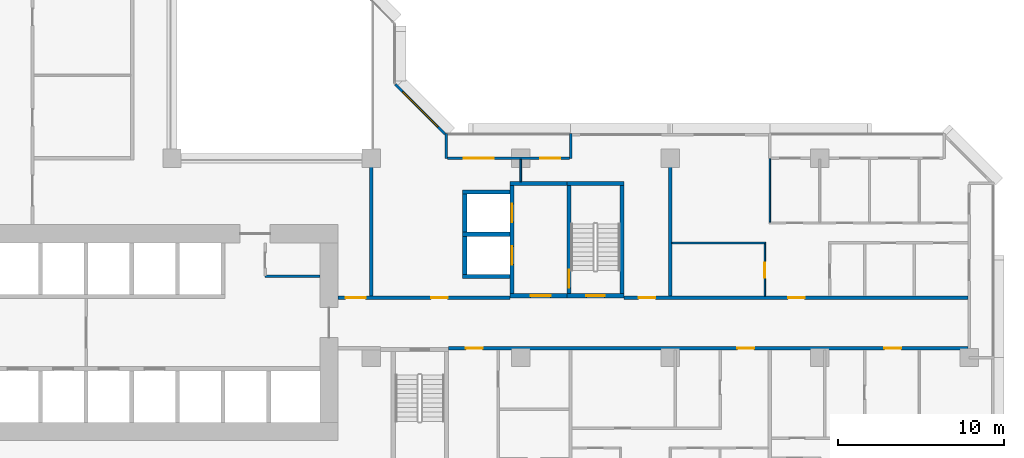
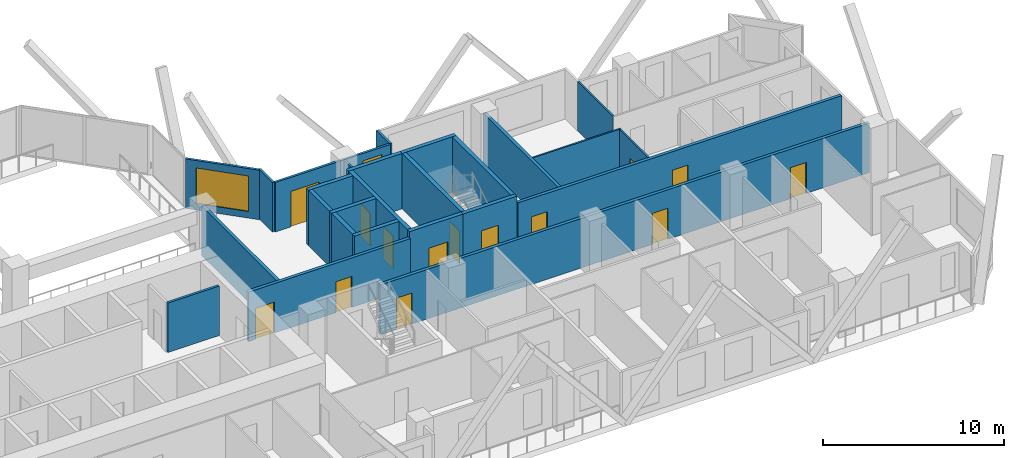
# One storey, part 7 of 15: 26 walls, 14 doors, 2 windows, 16 openings.
"""IFC4 building model written with IfcOpenShell, lengths in metres."""

from ifc_helpers import new_model, si_unit, direction, frame, frame_2d, origin, place, context, subcontext, project, spatial, rectangle, extrude, material, layer, layer_set, type_object, element, fill, save


model = new_model("IFC4")

# Units and contexts
model_context = context("Model", 3, precision=1e-05, world=origin(), true_north=direction((0.0, 1.0)))
body_context = subcontext(model_context, "Body", "Model", "MODEL_VIEW")
ifc_project = project(units=[si_unit("LENGTHUNIT", "METRE"), si_unit("AREAUNIT", "SQUARE_METRE"), si_unit("VOLUMEUNIT", "CUBIC_METRE"), si_unit("PLANEANGLEUNIT", "RADIAN"), si_unit("MASSUNIT", "GRAM", prefix="KILO")], contexts=[model_context])

# Site, building, storey
site_placement = place(None, origin())
site = spatial("IfcSite", under=ifc_project, at=site_placement, CompositionType="ELEMENT")
building_placement = place(site_placement, origin())
building = spatial("IfcBuilding", under=site, at=building_placement, Name="Chenar Terraces", CompositionType="ELEMENT")
storey_placement = place(building_placement, frame((0.0, 0.0, 41.39990234375)))
storey = spatial("IfcBuildingStorey", under=building, at=storey_placement, Name="L07", CompositionType="ELEMENT", Elevation=41.39990234375)

# Wall
ifc_material_1 = material(Name="Gypsum board on steel studs", Category="steel")
ifc_layer_1 = layer(ifc_material_1, 0.14990234375)
ifc_layer_set_1 = layer_set([ifc_layer_1], Name="Gypsum board on steel studs")
wall_type_1 = type_object("IfcWallType", Name="Core partition 150 gypsum board", PredefinedType="PARTITIONING", material=ifc_layer_set_1)
wall_1_placement = place(storey_placement, frame((29.60009765625, 16.89990234375, 0.0), z_axis=(0.0, 0.0, 1.0), x_axis=(1.0, 0.0, 0.0)))
element("IfcWall", 1, at=wall_1_placement, inside=storey, type_object=wall_type_1, Name="Core partition CP1 vestibule room south wall", PredefinedType="PARTITIONING", context=body_context, shape_type="SweptSolid", body=[
    extrude(rectangle(XDim=3.2998046875, YDim=0.14990234375, at=frame_2d((1.64990234375, 0.0))), origin(), (0.0, 0.0, 1.0), 3.35009765625),
])

# Wall, opening, door
ifc_material_2 = material(Name="Concrete C70/85", Category="concrete")
ifc_layer_2 = layer(ifc_material_2, 0.25)
ifc_layer_set_2 = layer_set([ifc_layer_2], Name="Concrete C70/85")
wall_type_2 = type_object("IfcWallType", Name="Core wall 250 Concrete C70/85", PredefinedType="SHEAR", material=ifc_layer_set_2)
wall_2_placement = place(storey_placement, frame((47.77490234375, 15.72509765625, 0.0), z_axis=(0.0, 0.0, 1.0), x_axis=(1.0, 0.0, 0.0)))
wall_2 = element("IfcWall", 2, at=wall_2_placement, inside=storey, type_object=wall_type_2, Name="Core wall ST3_S L07", PredefinedType="SHEAR", context=body_context, shape_type="SweptSolid", body=[
    extrude(rectangle(XDim=3.4501953125, YDim=0.25, at=frame_2d((1.72509765625, 0.0))), origin(), (0.0, 0.0, 1.0), 3.75),
])
opening_1_placement = place(wall_2_placement, frame((1.175048828125, 0.0, 0.0)))
opening_1 = element("IfcOpeningElement", 3, at=opening_1_placement, cuts=wall_2, Name="Opening DL07-C8", PredefinedType="OPENING", context=body_context, shape_type="SweptSolid", body=[
    extrude(rectangle(XDim=1.10009765625, YDim=2.199951171875, at=frame_2d((0.550048828125, 1.10009765625))), frame((0.0, 0.135009765625, 0.0), z_axis=(0.0, -1.0, 0.0), x_axis=(1.0, 0.0, 0.0)), (0.0, 0.0, 1.0), 0.27001953125),
])
ifc_material_3 = material(Name="Steel-framed fire-resisting door leaf", Category="steel")
door_type_1 = type_object("IfcDoorType", Name="Stair fire door FD60 1100 x 2200", OperationType="SINGLE_SWING_LEFT", PredefinedType="DOOR", material=ifc_material_3)
door_1_placement = place(opening_1_placement, frame((1.10009765625, 0.0, 0.0), z_axis=(0.0, 0.0, 1.0), x_axis=(-1.0, 0.0, 0.0)))
door_1 = element("IfcDoor", 4, at=door_1_placement, inside=storey, type_object=door_type_1, Name="Stair door DL07-C8", OperationType="SINGLE_SWING_LEFT", OverallHeight=2.199951171875, OverallWidth=1.10009765625, PredefinedType="DOOR", context=body_context, shape_type="SweptSolid", body=[
    extrude(rectangle(XDim=1.10009765625, YDim=2.199951171875, at=frame_2d((0.550048828125, 1.10009765625))), frame((0.0, 0.02490234375, 0.0), z_axis=(0.0, -1.0, 0.0), x_axis=(1.0, 0.0, 0.0)), (0.0, 0.0, 1.0), 0.050048828125),
])
fill(opening_1, door_1)

# Wall
wall_3_placement = place(storey_placement, frame((47.77490234375, 22.47509765625, 0.0), z_axis=(0.0, 0.0, 1.0), x_axis=(1.0, 0.0, 0.0)))
element("IfcWall", 5, at=wall_3_placement, inside=storey, type_object=wall_type_2, Name="Core wall ST3_N L07", PredefinedType="SHEAR", context=body_context, shape_type="SweptSolid", body=[
    extrude(rectangle(XDim=3.4501953125, YDim=0.25, at=frame_2d((1.72509765625, 0.0))), origin(), (0.0, 0.0, 1.0), 3.75),
])

# Wall, opening, door
wall_4_placement = place(storey_placement, frame((47.89990234375, 15.85009765625, 0.0), z_axis=(0.0, 0.0, 1.0), x_axis=(0.0, 1.0, 0.0)))
wall_4 = element("IfcWall", 6, at=wall_4_placement, inside=storey, type_object=wall_type_2, Name="Core wall ST3_W L07", PredefinedType="SHEAR", context=body_context, shape_type="SweptSolid", body=[
    extrude(rectangle(XDim=6.5, YDim=0.25, at=frame_2d((3.25, 0.0))), origin(), (0.0, 0.0, 1.0), 3.75),
])
opening_2_placement = place(wall_4_placement, frame((0.35009765625, 0.0, 0.0)))
opening_2 = element("IfcOpeningElement", 7, at=opening_2_placement, cuts=wall_4, Name="Opening DL07-C11", PredefinedType="OPENING", context=body_context, shape_type="SweptSolid", body=[
    extrude(rectangle(XDim=1.10009765625, YDim=2.199951171875, at=frame_2d((0.550048828125, 1.10009765625))), frame((0.0, 0.135009765625, 0.0), z_axis=(0.0, -1.0, 0.0), x_axis=(1.0, 0.0, 0.0)), (0.0, 0.0, 1.0), 0.27001953125),
])
door_2_placement = place(opening_2_placement, frame((1.10009765625, 0.0, 0.0), z_axis=(0.0, 0.0, 1.0), x_axis=(-1.0, 0.0, 0.0)))
door_2 = element("IfcDoor", 8, at=door_2_placement, inside=storey, type_object=door_type_1, Name="Stair door DL07-C11", OperationType="SINGLE_SWING_RIGHT", OverallHeight=2.199951171875, OverallWidth=1.10009765625, PredefinedType="DOOR", context=body_context, shape_type="SweptSolid", body=[
    extrude(rectangle(XDim=1.10009765625, YDim=2.199951171875, at=frame_2d((0.550048828125, 1.10009765625))), frame((0.0, 0.02490234375, 0.0), z_axis=(0.0, -1.0, 0.0), x_axis=(1.0, 0.0, 0.0)), (0.0, 0.0, 1.0), 0.050048828125),
])
fill(opening_2, door_2)

# Wall
wall_5_placement = place(storey_placement, frame((51.10009765625, 15.85009765625, 0.0), z_axis=(0.0, 0.0, 1.0), x_axis=(0.0, 1.0, 0.0)))
element("IfcWall", 9, at=wall_5_placement, inside=storey, type_object=wall_type_2, Name="Core wall ST3_E L07", PredefinedType="SHEAR", context=body_context, shape_type="SweptSolid", body=[
    extrude(rectangle(XDim=6.5, YDim=0.25, at=frame_2d((3.25, 0.0))), origin(), (0.0, 0.0, 1.0), 3.75),
])

# Wall, opening, door
wall_6_placement = place(storey_placement, frame((44.35009765625, 15.72509765625, 0.0), z_axis=(0.0, 0.0, 1.0), x_axis=(1.0, 0.0, 0.0)))
wall_6 = element("IfcWall", 10, at=wall_6_placement, inside=storey, type_object=wall_type_2, Name="Core wall F3_LS L07", PredefinedType="SHEAR", context=body_context, shape_type="SweptSolid", body=[
    extrude(rectangle(XDim=3.4248046875, YDim=0.25, at=frame_2d((1.71240234375, 0.0))), origin(), (0.0, 0.0, 1.0), 3.75),
])
opening_3_placement = place(wall_6_placement, frame((1.25, 0.0, 0.0)))
opening_3 = element("IfcOpeningElement", 11, at=opening_3_placement, cuts=wall_6, Name="Opening DL07-C10", PredefinedType="OPENING", context=body_context, shape_type="SweptSolid", body=[
    extrude(rectangle(XDim=1.199951171875, YDim=2.199951171875, at=frame_2d((0.60009765625, 1.10009765625))), frame((0.0, 0.135009765625, 0.0), z_axis=(0.0, -1.0, 0.0), x_axis=(1.0, 0.0, 0.0)), (0.0, 0.0, 1.0), 0.27001953125),
])
ifc_material_4 = material(Name="Steel-framed fire-resisting door leaf", Category="steel")
door_type_2 = type_object("IfcDoorType", Name="Lobby fire door FD60 1200 x 2200", OperationType="SINGLE_SWING_LEFT", PredefinedType="DOOR", material=ifc_material_4)
door_3_placement = place(opening_3_placement, origin())
door_3 = element("IfcDoor", 12, at=door_3_placement, inside=storey, type_object=door_type_2, Name="Core door DL07-C10", OperationType="SINGLE_SWING_RIGHT", OverallHeight=2.199951171875, OverallWidth=1.199951171875, PredefinedType="DOOR", context=body_context, shape_type="SweptSolid", body=[
    extrude(rectangle(XDim=1.199951171875, YDim=2.199951171875, at=frame_2d((0.60009765625, 1.10009765625))), frame((0.0, 0.02490234375, 0.0), z_axis=(0.0, -1.0, 0.0), x_axis=(1.0, 0.0, 0.0)), (0.0, 0.0, 1.0), 0.050048828125),
])
fill(opening_3, door_3)

# Wall
wall_7_placement = place(storey_placement, frame((44.35009765625, 22.47509765625, 0.0), z_axis=(0.0, 0.0, 1.0), x_axis=(1.0, 0.0, 0.0)))
element("IfcWall", 13, at=wall_7_placement, inside=storey, type_object=wall_type_2, Name="Core wall F3_LN L07", PredefinedType="SHEAR", context=body_context, shape_type="SweptSolid", body=[
    extrude(rectangle(XDim=3.4248046875, YDim=0.25, at=frame_2d((1.71240234375, 0.0))), origin(), (0.0, 0.0, 1.0), 3.75),
])

# Wall, openings, doors
wall_8_placement = place(storey_placement, frame((44.47509765625, 15.85009765625, 0.0), z_axis=(0.0, 0.0, 1.0), x_axis=(0.0, 1.0, 0.0)))
wall_8 = element("IfcWall", 14, at=wall_8_placement, inside=storey, type_object=wall_type_2, Name="Core wall F3_LW L07", PredefinedType="SHEAR", context=body_context, shape_type="SweptSolid", body=[
    extrude(rectangle(XDim=6.5, YDim=0.25, at=frame_2d((3.25, 0.0))), origin(), (0.0, 0.0, 1.0), 3.75),
])
opening_4_placement = place(wall_8_placement, frame((1.75, 0.0, 0.0)))
opening_4 = element("IfcOpeningElement", 15, at=opening_4_placement, cuts=wall_8, Name="Opening DL07-LD8", PredefinedType="OPENING", context=body_context, shape_type="SweptSolid", body=[
    extrude(rectangle(XDim=1.10009765625, YDim=2.199951171875, at=frame_2d((0.550048828125, 1.10009765625))), frame((0.0, 0.135009765625, 0.0), z_axis=(0.0, -1.0, 0.0), x_axis=(1.0, 0.0, 0.0)), (0.0, 0.0, 1.0), 0.27001953125),
])
opening_5_placement = place(wall_8_placement, frame((4.300048828125, 0.0, 0.0)))
opening_5 = element("IfcOpeningElement", 16, at=opening_5_placement, cuts=wall_8, Name="Opening DL07-LD9", PredefinedType="OPENING", context=body_context, shape_type="SweptSolid", body=[
    extrude(rectangle(XDim=1.10009765625, YDim=2.199951171875, at=frame_2d((0.550048828125, 1.10009765625))), frame((0.0, 0.135009765625, 0.0), z_axis=(0.0, -1.0, 0.0), x_axis=(1.0, 0.0, 0.0)), (0.0, 0.0, 1.0), 0.27001953125),
])
ifc_material_5 = material(Name="Stainless steel", Category="steel")
door_type_3 = type_object("IfcDoorType", Name="Lift landing door 1100 x 2200 sliding", OperationType="DOUBLE_DOOR_SLIDING", PredefinedType="DOOR", material=ifc_material_5)
door_4_placement = place(opening_4_placement, origin())
door_4 = element("IfcDoor", 17, at=door_4_placement, inside=storey, type_object=door_type_3, Name="Landing door F3", OperationType="DOUBLE_DOOR_SLIDING", OverallHeight=2.199951171875, OverallWidth=1.10009765625, PredefinedType="DOOR", context=body_context, shape_type="SweptSolid", body=[
    extrude(rectangle(XDim=1.10009765625, YDim=2.199951171875, at=frame_2d((0.550048828125, 1.10009765625))), frame((0.0, 0.02490234375, 0.0), z_axis=(0.0, -1.0, 0.0), x_axis=(1.0, 0.0, 0.0)), (0.0, 0.0, 1.0), 0.050048828125),
])
fill(opening_4, door_4)
door_5_placement = place(opening_5_placement, origin())
door_5 = element("IfcDoor", 18, at=door_5_placement, inside=storey, type_object=door_type_3, Name="Landing door F4", OperationType="DOUBLE_DOOR_SLIDING", OverallHeight=2.199951171875, OverallWidth=1.10009765625, PredefinedType="DOOR", context=body_context, shape_type="SweptSolid", body=[
    extrude(rectangle(XDim=1.10009765625, YDim=2.199951171875, at=frame_2d((0.550048828125, 1.10009765625))), frame((0.0, 0.02490234375, 0.0), z_axis=(0.0, -1.0, 0.0), x_axis=(1.0, 0.0, 0.0)), (0.0, 0.0, 1.0), 0.050048828125),
])
fill(opening_5, door_5)

# Walls
for number, where, z_axis, x_axis, name in (
    (19, (41.5, 16.875, 0.0), (0.0, 0.0, 1.0), (1.0, 0.0, 0.0), "Core wall F3_SS L07"),
    (20, (41.5, 19.425048828125, 0.0), (0.0, 0.0, 1.0), (1.0, 0.0, 0.0), "Core wall F3_SM L07"),
    (21, (41.5, 21.97509765625, 0.0), (0.0, 0.0, 1.0), (1.0, 0.0, 0.0), "Core wall F4_SN L07"),
):
    element("IfcWall", number, at=place(storey_placement, frame(where, z_axis=z_axis, x_axis=x_axis)), inside=storey, type_object=wall_type_2, Name=name, PredefinedType="SHEAR", context=body_context, shape_type="SweptSolid", body=[
        extrude(rectangle(XDim=2.85009765625, YDim=0.25, at=frame_2d((1.425048828125, 0.0))), origin(), (0.0, 0.0, 1.0), 3.75),
    ])
for number, where, z_axis, x_axis, name in (
    (22, (41.625, 17.0, 0.0), (0.0, 0.0, 1.0), (0.0, 1.0, 0.0), "Core wall F3_SW L07"),
    (23, (41.625, 19.550048828125, 0.0), (0.0, 0.0, 1.0), (0.0, 1.0, 0.0), "Core wall F4_SW L07"),
):
    element("IfcWall", number, at=place(storey_placement, frame(where, z_axis=z_axis, x_axis=x_axis)), inside=storey, type_object=wall_type_2, Name=name, PredefinedType="SHEAR", context=body_context, shape_type="SweptSolid", body=[
        extrude(rectangle(XDim=2.300048828125, YDim=0.25, at=frame_2d((1.14990234375, 0.0))), origin(), (0.0, 0.0, 1.0), 3.75),
    ])

# Wall, openings, doors
ifc_material_6 = material(Name="Gypsum board on steel studs with fire boards", Category="steel")
ifc_layer_3 = layer(ifc_material_6, 0.199951171875)
ifc_layer_set_3 = layer_set([ifc_layer_3], Name="Gypsum board on steel studs with fire boards")
wall_type_3 = type_object("IfcWallType", Name="Corridor wall 200", PredefinedType="PARTITIONING", material=ifc_layer_set_3)
wall_9_placement = place(storey_placement, frame((34.0, 15.60009765625, 0.0), z_axis=(0.0, 0.0, 1.0), x_axis=(1.0, 0.0, 0.0)))
wall_9 = element("IfcWall", 24, at=wall_9_placement, inside=storey, type_object=wall_type_3, Name="Partition L07-062", PredefinedType="PARTITIONING", context=body_context, shape_type="SweptSolid", body=[
    extrude(rectangle(XDim=10.35009765625, YDim=0.199951171875, at=frame_2d((5.175048828125, 0.0))), origin(), (0.0, 0.0, 1.0), 3.35009765625),
])
opening_6_placement = place(wall_9_placement, frame((5.60009765625, 0.0, 0.0)))
opening_6 = element("IfcOpeningElement", 25, at=opening_6_placement, cuts=wall_9, Name="Opening DL07-3", PredefinedType="OPENING", context=body_context, shape_type="SweptSolid", body=[
    extrude(rectangle(XDim=1.0, YDim=2.10009765625, at=frame_2d((0.5, 1.050048828125))), frame((0.0, 0.10986328125, 0.0), z_axis=(0.0, -1.0, 0.0), x_axis=(1.0, 0.0, 0.0)), (0.0, 0.0, 1.0), 0.219970703125),
])
opening_7_placement = place(wall_9_placement, frame((0.449951171875, 0.0, 0.0)))
opening_7 = element("IfcOpeningElement", 26, at=opening_7_placement, cuts=wall_9, Name="Opening DL07-47", PredefinedType="OPENING", context=body_context, shape_type="SweptSolid", body=[
    extrude(rectangle(XDim=1.199951171875, YDim=2.10009765625, at=frame_2d((0.60009765625, 1.050048828125))), frame((0.0, 0.10986328125, 0.0), z_axis=(0.0, -1.0, 0.0), x_axis=(1.0, 0.0, 0.0)), (0.0, 0.0, 1.0), 0.219970703125),
])
ifc_material_7 = material(Name="Steel-framed fire-resisting door leaf", Category="steel")
door_type_4 = type_object("IfcDoorType", Name="Fire door FD60 1000 x 2100", OperationType="SINGLE_SWING_LEFT", PredefinedType="DOOR", material=ifc_material_7)
door_6_placement = place(opening_6_placement, origin())
door_6 = element("IfcDoor", 27, at=door_6_placement, inside=storey, type_object=door_type_4, Name="Door DL07-3", OperationType="SINGLE_SWING_RIGHT", OverallHeight=2.10009765625, OverallWidth=1.0, PredefinedType="DOOR", context=body_context, shape_type="SweptSolid", body=[
    extrude(rectangle(XDim=1.0, YDim=2.10009765625, at=frame_2d((0.5, 1.050048828125))), frame((0.0, 0.02490234375, 0.0), z_axis=(0.0, -1.0, 0.0), x_axis=(1.0, 0.0, 0.0)), (0.0, 0.0, 1.0), 0.050048828125),
])
fill(opening_6, door_6)
ifc_material_8 = material(Name="Steel-framed fire-resisting door leaf", Category="steel")
door_type_5 = type_object("IfcDoorType", Name="Fire door FD60 1200 x 2100", OperationType="SINGLE_SWING_LEFT", PredefinedType="DOOR", material=ifc_material_8)
door_7_placement = place(opening_7_placement, origin())
door_7 = element("IfcDoor", 28, at=door_7_placement, inside=storey, type_object=door_type_5, Name="Door DL07-47", OperationType="SINGLE_SWING_RIGHT", OverallHeight=2.10009765625, OverallWidth=1.199951171875, PredefinedType="DOOR", context=body_context, shape_type="SweptSolid", body=[
    extrude(rectangle(XDim=1.199951171875, YDim=2.10009765625, at=frame_2d((0.60009765625, 1.050048828125))), frame((0.0, 0.02490234375, 0.0), z_axis=(0.0, -1.0, 0.0), x_axis=(1.0, 0.0, 0.0)), (0.0, 0.0, 1.0), 0.050048828125),
])
fill(opening_7, door_7)

# Wall
wall_10_placement = place(storey_placement, frame((36.0, 15.699951171875, 0.0), z_axis=(0.0, 0.0, 1.0), x_axis=(0.0, 1.0, 0.0)))
element("IfcWall", 29, at=wall_10_placement, inside=storey, type_object=wall_type_3, Name="Partition L07-063", PredefinedType="PARTITIONING", context=body_context, shape_type="SweptSolid", body=[
    extrude(rectangle(XDim=8.300048828125, YDim=0.199951171875, at=frame_2d((4.14990234375, 0.0))), origin(), (0.0, 0.0, 1.0), 3.35009765625),
])

# Wall, openings, doors
wall_11_placement = place(storey_placement, frame((40.64990234375, 12.550048828125, 0.0), z_axis=(0.0, 0.0, 1.0), x_axis=(1.0, 0.0, 0.0)))
wall_11 = element("IfcWall", 30, at=wall_11_placement, inside=storey, type_object=wall_type_3, Name="Partition L07-064", PredefinedType="PARTITIONING", context=body_context, shape_type="SweptSolid", body=[
    extrude(rectangle(XDim=31.276123046875, YDim=0.199951171875, at=frame_2d((15.63818359375, 0.0))), origin(), (0.0, 0.0, 1.0), 3.35009765625),
])
opening_8_placement = place(wall_11_placement, frame((17.39990234375, 0.0, 0.0)))
opening_8 = element("IfcOpeningElement", 31, at=opening_8_placement, cuts=wall_11, Name="Opening DL07-18", PredefinedType="OPENING", context=body_context, shape_type="SweptSolid", body=[
    extrude(rectangle(XDim=1.0, YDim=2.10009765625, at=frame_2d((0.5, 1.050048828125))), frame((0.0, 0.10986328125, 0.0), z_axis=(0.0, -1.0, 0.0), x_axis=(1.0, 0.0, 0.0)), (0.0, 0.0, 1.0), 0.219970703125),
])
opening_9_placement = place(wall_11_placement, frame((26.25, 0.0, 0.0)))
opening_9 = element("IfcOpeningElement", 32, at=opening_9_placement, cuts=wall_11, Name="Opening DL07-23", PredefinedType="OPENING", context=body_context, shape_type="SweptSolid", body=[
    extrude(rectangle(XDim=1.0, YDim=2.10009765625, at=frame_2d((0.5, 1.050048828125))), frame((0.0, 0.10986328125, 0.0), z_axis=(0.0, -1.0, 0.0), x_axis=(1.0, 0.0, 0.0)), (0.0, 0.0, 1.0), 0.219970703125),
])
opening_10_placement = place(wall_11_placement, frame((1.050048828125, 0.0, 0.0)))
opening_10 = element("IfcOpeningElement", 33, at=opening_10_placement, cuts=wall_11, Name="Opening DL07-61", PredefinedType="OPENING", context=body_context, shape_type="SweptSolid", body=[
    extrude(rectangle(XDim=1.0, YDim=2.10009765625, at=frame_2d((0.5, 1.050048828125))), frame((0.0, 0.10986328125, 0.0), z_axis=(0.0, -1.0, 0.0), x_axis=(1.0, 0.0, 0.0)), (0.0, 0.0, 1.0), 0.219970703125),
])
ifc_material_9 = material(Name="Steel-framed fire-resisting door leaf", Category="steel")
door_type_6 = type_object("IfcDoorType", Name="Fire door FD30S 1000 x 2100", OperationType="SINGLE_SWING_LEFT", PredefinedType="DOOR", material=ifc_material_9)
door_8_placement = place(opening_8_placement, frame((1.0, 0.0, 0.0), z_axis=(0.0, 0.0, 1.0), x_axis=(-1.0, 0.0, 0.0)))
door_8 = element("IfcDoor", 34, at=door_8_placement, inside=storey, type_object=door_type_6, Name="Door DL07-18", OperationType="SINGLE_SWING_LEFT", OverallHeight=2.10009765625, OverallWidth=1.0, PredefinedType="DOOR", context=body_context, shape_type="SweptSolid", body=[
    extrude(rectangle(XDim=1.0, YDim=2.10009765625, at=frame_2d((0.5, 1.050048828125))), frame((0.0, 0.02490234375, 0.0), z_axis=(0.0, -1.0, 0.0), x_axis=(1.0, 0.0, 0.0)), (0.0, 0.0, 1.0), 0.050048828125),
])
fill(opening_8, door_8)
door_9_placement = place(opening_9_placement, frame((1.0, 0.0, 0.0), z_axis=(0.0, 0.0, 1.0), x_axis=(-1.0, 0.0, 0.0)))
door_9 = element("IfcDoor", 35, at=door_9_placement, inside=storey, type_object=door_type_6, Name="Door DL07-23", OperationType="SINGLE_SWING_LEFT", OverallHeight=2.10009765625, OverallWidth=1.0, PredefinedType="DOOR", context=body_context, shape_type="SweptSolid", body=[
    extrude(rectangle(XDim=1.0, YDim=2.10009765625, at=frame_2d((0.5, 1.050048828125))), frame((0.0, 0.02490234375, 0.0), z_axis=(0.0, -1.0, 0.0), x_axis=(1.0, 0.0, 0.0)), (0.0, 0.0, 1.0), 0.050048828125),
])
fill(opening_9, door_9)
door_10_placement = place(opening_10_placement, origin())
door_10 = element("IfcDoor", 36, at=door_10_placement, inside=storey, type_object=door_type_6, Name="Door DL07-61", OperationType="SINGLE_SWING_RIGHT", OverallHeight=2.10009765625, OverallWidth=1.0, PredefinedType="DOOR", context=body_context, shape_type="SweptSolid", body=[
    extrude(rectangle(XDim=1.0, YDim=2.10009765625, at=frame_2d((0.5, 1.050048828125))), frame((0.0, 0.02490234375, 0.0), z_axis=(0.0, -1.0, 0.0), x_axis=(1.0, 0.0, 0.0)), (0.0, 0.0, 1.0), 0.050048828125),
])
fill(opening_10, door_10)

wall_12_placement = place(storey_placement, frame((51.22509765625, 15.60009765625, 0.0), z_axis=(0.0, 0.0, 1.0), x_axis=(1.0, 0.0, 0.0)))
wall_12 = element("IfcWall", 37, at=wall_12_placement, inside=storey, type_object=wall_type_3, Name="Partition L07-075", PredefinedType="PARTITIONING", context=body_context, shape_type="SweptSolid", body=[
    extrude(rectangle(XDim=20.700927734375, YDim=0.199951171875, at=frame_2d((10.3505859375, 0.0))), origin(), (0.0, 0.0, 1.0), 3.35009765625),
])
opening_11_placement = place(wall_12_placement, frame((9.875, 0.0, 0.0)))
opening_11 = element("IfcOpeningElement", 38, at=opening_11_placement, cuts=wall_12, Name="Opening DL07-11", PredefinedType="OPENING", context=body_context, shape_type="SweptSolid", body=[
    extrude(rectangle(XDim=1.0, YDim=2.10009765625, at=frame_2d((0.5, 1.050048828125))), frame((0.0, 0.10986328125, 0.0), z_axis=(0.0, -1.0, 0.0), x_axis=(1.0, 0.0, 0.0)), (0.0, 0.0, 1.0), 0.219970703125),
])
opening_12_placement = place(wall_12_placement, frame((0.875, 0.0, 0.0)))
opening_12 = element("IfcOpeningElement", 39, at=opening_12_placement, cuts=wall_12, Name="Opening DL07-50", PredefinedType="OPENING", context=body_context, shape_type="SweptSolid", body=[
    extrude(rectangle(XDim=1.0, YDim=2.10009765625, at=frame_2d((0.5, 1.050048828125))), frame((0.0, 0.10986328125, 0.0), z_axis=(0.0, -1.0, 0.0), x_axis=(1.0, 0.0, 0.0)), (0.0, 0.0, 1.0), 0.219970703125),
])
door_11_placement = place(opening_11_placement, origin())
door_11 = element("IfcDoor", 40, at=door_11_placement, inside=storey, type_object=door_type_6, Name="Door DL07-11", OperationType="SINGLE_SWING_LEFT", OverallHeight=2.10009765625, OverallWidth=1.0, PredefinedType="DOOR", context=body_context, shape_type="SweptSolid", body=[
    extrude(rectangle(XDim=1.0, YDim=2.10009765625, at=frame_2d((0.5, 1.050048828125))), frame((0.0, 0.02490234375, 0.0), z_axis=(0.0, -1.0, 0.0), x_axis=(1.0, 0.0, 0.0)), (0.0, 0.0, 1.0), 0.050048828125),
])
fill(opening_11, door_11)
door_12_placement = place(opening_12_placement, origin())
door_12 = element("IfcDoor", 41, at=door_12_placement, inside=storey, type_object=door_type_6, Name="Door DL07-50", OperationType="SINGLE_SWING_RIGHT", OverallHeight=2.10009765625, OverallWidth=1.0, PredefinedType="DOOR", context=body_context, shape_type="SweptSolid", body=[
    extrude(rectangle(XDim=1.0, YDim=2.10009765625, at=frame_2d((0.5, 1.050048828125))), frame((0.0, 0.02490234375, 0.0), z_axis=(0.0, -1.0, 0.0), x_axis=(1.0, 0.0, 0.0)), (0.0, 0.0, 1.0), 0.050048828125),
])
fill(opening_12, door_12)

# Wall, openings, window, door
ifc_material_10 = material(Name="Aluminium framed glazing", Category="aluminium")
ifc_layer_4 = layer(ifc_material_10, 0.14990234375)
ifc_layer_set_4 = layer_set([ifc_layer_4], Name="Aluminium framed glazing")
wall_type_4 = type_object("IfcWallType", Name="Glazed loggia back wall 150", PredefinedType="SOLIDWALL", material=ifc_layer_set_4)
wall_13_placement = place(storey_placement, frame((47.925048828125, 24.0, 0.0), z_axis=(0.0, 0.0, 1.0), x_axis=(-1.0, 0.0, 0.0)))
wall_13 = element("IfcWall", 42, at=wall_13_placement, inside=storey, type_object=wall_type_4, Name="Glazed loggia back wall", PredefinedType="SOLIDWALL", context=body_context, shape_type="SweptSolid", body=[
    extrude(rectangle(XDim=7.35009765625, YDim=0.14990234375, at=frame_2d((3.675048828125, 0.0))), origin(), (0.0, 0.0, 1.0), 3.35009765625),
])
opening_13_placement = place(wall_13_placement, frame((0.53759765625, 0.0, 0.449951171875)))
opening_13 = element("IfcOpeningElement", 43, at=opening_13_placement, cuts=wall_13, Name="Opening W120x240", PredefinedType="OPENING", context=body_context, shape_type="SweptSolid", body=[
    extrude(rectangle(XDim=1.199951171875, YDim=2.39990234375, at=frame_2d((0.60009765625, 1.199951171875))), frame((0.0, 0.0849609375, 0.0), z_axis=(0.0, -1.0, 0.0), x_axis=(1.0, 0.0, 0.0)), (0.0, 0.0, 1.0), 0.169921875),
])
opening_14_placement = place(wall_13_placement, frame((4.5625, 0.0, 0.0)))
opening_14 = element("IfcOpeningElement", 44, at=opening_14_placement, cuts=wall_13, Name="Opening DL07-G2", PredefinedType="OPENING", context=body_context, shape_type="SweptSolid", body=[
    extrude(rectangle(XDim=1.800048828125, YDim=2.39990234375, at=frame_2d((0.89990234375, 1.199951171875))), frame((0.0, 0.0849609375, 0.0), z_axis=(0.0, -1.0, 0.0), x_axis=(1.0, 0.0, 0.0)), (0.0, 0.0, 1.0), 0.169921875),
])
ifc_material_11 = material(Name="Low emissivity double glazing, aluminium frame", Category="aluminium")
window_type_1 = type_object("IfcWindowType", Name="Fixed light 1200 x 2400", PartitioningType="SINGLE_PANEL", PredefinedType="WINDOW", material=ifc_material_11)
window_1_placement = place(opening_13_placement, origin())
window_1 = element("IfcWindow", 45, at=window_1_placement, inside=storey, type_object=window_type_1, Name="Window", OverallHeight=2.39990234375, OverallWidth=1.199951171875, PartitioningType="SINGLE_PANEL", PredefinedType="WINDOW", context=body_context, shape_type="SweptSolid", body=[
    extrude(rectangle(XDim=1.199951171875, YDim=2.39990234375, at=frame_2d((0.60009765625, 1.199951171875))), frame((0.0, 0.030029296875, 0.0), z_axis=(0.0, -1.0, 0.0), x_axis=(1.0, 0.0, 0.0)), (0.0, 0.0, 1.0), 0.06005859375),
])
fill(opening_13, window_1)
ifc_material_12 = material(Name="Low emissivity double glazing, aluminium frame", Category="aluminium")
door_type_7 = type_object("IfcDoorType", Name="Loggia glazed double door 1800 x 2400", OperationType="DOUBLE_DOOR_SINGLE_SWING", PredefinedType="DOOR", material=ifc_material_12)
door_13_placement = place(opening_14_placement, frame((1.800048828125, 0.0, 0.0), z_axis=(0.0, 0.0, 1.0), x_axis=(-1.0, 0.0, 0.0)))
door_13 = element("IfcDoor", 46, at=door_13_placement, inside=storey, type_object=door_type_7, Name="Loggia glazed door", OperationType="DOUBLE_DOOR_SINGLE_SWING", OverallHeight=2.39990234375, OverallWidth=1.800048828125, PredefinedType="DOOR", context=body_context, shape_type="SweptSolid", body=[
    extrude(rectangle(XDim=1.800048828125, YDim=2.39990234375, at=frame_2d((0.89990234375, 1.199951171875))), frame((0.0, 0.02490234375, 0.0), z_axis=(0.0, -1.0, 0.0), x_axis=(1.0, 0.0, 0.0)), (0.0, 0.0, 1.0), 0.050048828125),
])
fill(opening_14, door_13)

# Walls
ifc_material_13 = material(Name="Gypsum board on steel studs", Category="steel")
ifc_layer_5 = layer(ifc_material_13, 0.10009765625)
ifc_layer_set_5 = layer_set([ifc_layer_5], Name="Gypsum board on steel studs")
wall_type_5 = type_object("IfcWallType", Name="Gypsum partition 100", PredefinedType="PARTITIONING", material=ifc_layer_set_5)
wall_14_placement = place(storey_placement, frame((45.0, 22.60009765625, 0.0), z_axis=(0.0, 0.0, 1.0), x_axis=(0.0, 1.0, 0.0)))
element("IfcWall", 47, at=wall_14_placement, inside=storey, type_object=wall_type_5, Name="Partition L07-070", PredefinedType="PARTITIONING", context=body_context, shape_type="SweptSolid", body=[
    extrude(rectangle(XDim=1.325927734375, YDim=0.10009765625, at=frame_2d((0.6630859375, 0.0))), origin(), (0.0, 0.0, 1.0), 3.35009765625),
])
wall_15_placement = place(storey_placement, frame((54.10009765625, 18.89990234375, 0.0), z_axis=(0.0, 0.0, 1.0), x_axis=(1.0, 0.0, 0.0)))
element("IfcWall", 48, at=wall_15_placement, inside=storey, type_object=wall_type_5, Name="Partition L07-079", PredefinedType="PARTITIONING", context=body_context, shape_type="SweptSolid", body=[
    extrude(rectangle(XDim=5.64990234375, YDim=0.10009765625, at=frame_2d((2.824951171875, 0.0))), origin(), (0.0, 0.0, 1.0), 3.35009765625),
])

# Wall, opening, door
wall_16_placement = place(storey_placement, frame((59.699951171875, 15.699951171875, 0.0), z_axis=(0.0, 0.0, 1.0), x_axis=(0.0, 1.0, 0.0)))
wall_16 = element("IfcWall", 49, at=wall_16_placement, inside=storey, type_object=wall_type_5, Name="Partition L07-083", PredefinedType="PARTITIONING", context=body_context, shape_type="SweptSolid", body=[
    extrude(rectangle(XDim=3.150146484375, YDim=0.10009765625, at=frame_2d((1.5751953125, 0.0))), origin(), (0.0, 0.0, 1.0), 3.35009765625),
])
opening_15_placement = place(wall_16_placement, frame((1.10009765625, 0.0, 0.0)))
opening_15 = element("IfcOpeningElement", 50, at=opening_15_placement, cuts=wall_16, Name="Opening DL07-9", PredefinedType="OPENING", context=body_context, shape_type="SweptSolid", body=[
    extrude(rectangle(XDim=0.89990234375, YDim=2.10009765625, at=frame_2d((0.449951171875, 1.050048828125))), frame((0.0, 0.06005859375, 0.0), z_axis=(0.0, -1.0, 0.0), x_axis=(1.0, 0.0, 0.0)), (0.0, 0.0, 1.0), 0.1201171875),
])
ifc_material_14 = material(Name="Veneered timber door leaf", Category="wood")
door_type_8 = type_object("IfcDoorType", Name="Door 900 x 2100", OperationType="SINGLE_SWING_LEFT", PredefinedType="DOOR", material=ifc_material_14)
door_14_placement = place(opening_15_placement, origin())
door_14 = element("IfcDoor", 51, at=door_14_placement, inside=storey, type_object=door_type_8, Name="Door DL07-9", OperationType="SINGLE_SWING_LEFT", OverallHeight=2.10009765625, OverallWidth=0.89990234375, PredefinedType="DOOR", context=body_context, shape_type="SweptSolid", body=[
    extrude(rectangle(XDim=0.89990234375, YDim=2.10009765625, at=frame_2d((0.449951171875, 1.050048828125))), frame((0.0, 0.02490234375, 0.0), z_axis=(0.0, -1.0, 0.0), x_axis=(1.0, 0.0, 0.0)), (0.0, 0.0, 1.0), 0.050048828125),
])
fill(opening_15, door_14)

# Walls
wall_17_placement = place(storey_placement, frame((60.0, 20.14990234375, 0.0), z_axis=(0.0, 0.0, 1.0), x_axis=(0.0, 1.0, 0.0)))
element("IfcWall", 52, at=wall_17_placement, inside=storey, type_object=wall_type_5, Name="Partition L07-086", PredefinedType="PARTITIONING", context=body_context, shape_type="SweptSolid", body=[
    extrude(rectangle(XDim=3.85009765625, YDim=0.10009765625, at=frame_2d((1.925048828125, 0.0))), origin(), (0.0, 0.0, 1.0), 3.35009765625),
])
ifc_material_15 = material(Name="Terracotta cladding on insulated backing", Category="masonry")
ifc_layer_6 = layer(ifc_material_15, 0.14990234375)
ifc_layer_set_6 = layer_set([ifc_layer_6], Name="Terracotta cladding on insulated backing")
wall_type_6 = type_object("IfcWallType", Name="Loggia return wall 150", PredefinedType="SOLIDWALL", material=ifc_layer_set_6)
for number, where, z_axis, x_axis, name in (
    (53, (48.0, 25.5, 0.0), (0.0, 0.0, 1.0), (0.0, -1.0, 0.0), "Loggia return wall"),
    (54, (40.5, 25.5, 0.0), (0.0, 0.0, 1.0), (0.0, -1.0, 0.0), "Loggia return wall"),
):
    element("IfcWall", number, at=place(storey_placement, frame(where, z_axis=z_axis, x_axis=x_axis)), inside=storey, type_object=wall_type_6, Name=name, PredefinedType="SOLIDWALL", context=body_context, shape_type="SweptSolid", body=[
        extrude(rectangle(XDim=1.5, YDim=0.14990234375, at=frame_2d((0.75, 0.0))), origin(), (0.0, 0.0, 1.0), 3.35009765625),
    ])

# Wall, opening, window
ifc_material_16 = material(Name="Terracotta cladding on insulated backing", Category="masonry")
ifc_layer_7 = layer(ifc_material_16, 0.14990234375)
ifc_layer_set_7 = layer_set([ifc_layer_7], Name="Terracotta cladding on insulated backing")
wall_type_7 = type_object("IfcWallType", Name="Terracotta rainscreen wall 150", PredefinedType="SOLIDWALL", material=ifc_layer_set_7)
wall_18_placement = place(storey_placement, frame((40.447021484375, 25.447021484375, 0.0), z_axis=(0.0, 0.0, 1.0), x_axis=(-0.707106781187, 0.707106781187, 0.0)))
wall_18 = element("IfcWall", 55, at=wall_18_placement, inside=storey, type_object=wall_type_7, Name="Terracotta rainscreen wall", PredefinedType="SOLIDWALL", context=body_context, shape_type="SweptSolid", body=[
    extrude(rectangle(XDim=4.24267578125, YDim=0.14990234375, at=frame_2d((2.121337890625, 0.0))), origin(), (0.0, 0.0, 1.0), 3.35009765625),
])
opening_16_placement = place(wall_18_placement, frame((0.621337890625, 0.0, 0.449951171875)))
opening_16 = element("IfcOpeningElement", 56, at=opening_16_placement, cuts=wall_18, Name="Opening W300x240", PredefinedType="OPENING", context=body_context, shape_type="SweptSolid", body=[
    extrude(rectangle(XDim=3.0, YDim=2.39990234375, at=frame_2d((1.5, 1.199951171875))), frame((0.0, 0.0849609375, 0.0), z_axis=(0.0, -1.0, 0.0), x_axis=(1.0, 0.0, 0.0)), (0.0, 0.0, 1.0), 0.169921875),
])
ifc_material_17 = material(Name="Low emissivity double glazing, aluminium frame", Category="aluminium")
window_type_2 = type_object("IfcWindowType", Name="Fixed light 3000 x 2400", PartitioningType="SINGLE_PANEL", PredefinedType="WINDOW", material=ifc_material_17)
window_2_placement = place(opening_16_placement, origin())
window_2 = element("IfcWindow", 57, at=window_2_placement, inside=storey, type_object=window_type_2, Name="Window", OverallHeight=2.39990234375, OverallWidth=3.0, PartitioningType="SINGLE_PANEL", PredefinedType="WINDOW", context=body_context, shape_type="SweptSolid", body=[
    extrude(rectangle(XDim=3.0, YDim=2.39990234375, at=frame_2d((1.5, 1.199951171875))), frame((0.0, 0.030029296875, 0.0), z_axis=(0.0, -1.0, 0.0), x_axis=(1.0, 0.0, 0.0)), (0.0, 0.0, 1.0), 0.06005859375),
])
fill(opening_16, window_2)

# Wall
ifc_material_18 = material(Name="Twin gypsum board on steel studs with mineral wool", Category="steel")
ifc_layer_8 = layer(ifc_material_18, 0.199951171875)
ifc_layer_set_8 = layer_set([ifc_layer_8], Name="Twin gypsum board on steel studs with mineral wool")
wall_type_8 = type_object("IfcWallType", Name="Unit demising wall 200", PredefinedType="PARTITIONING", material=ifc_layer_set_8)
wall_19_placement = place(storey_placement, frame((54.0, 15.699951171875, 0.0), z_axis=(0.0, 0.0, 1.0), x_axis=(0.0, 1.0, 0.0)))
element("IfcWall", 58, at=wall_19_placement, inside=storey, type_object=wall_type_8, Name="Partition L07-077", PredefinedType="PARTITIONING", context=body_context, shape_type="SweptSolid", body=[
    extrude(rectangle(XDim=8.300048828125, YDim=0.199951171875, at=frame_2d((4.14990234375, 0.0))), origin(), (0.0, 0.0, 1.0), 3.35009765625),
])

save(model, "model.ifc")
